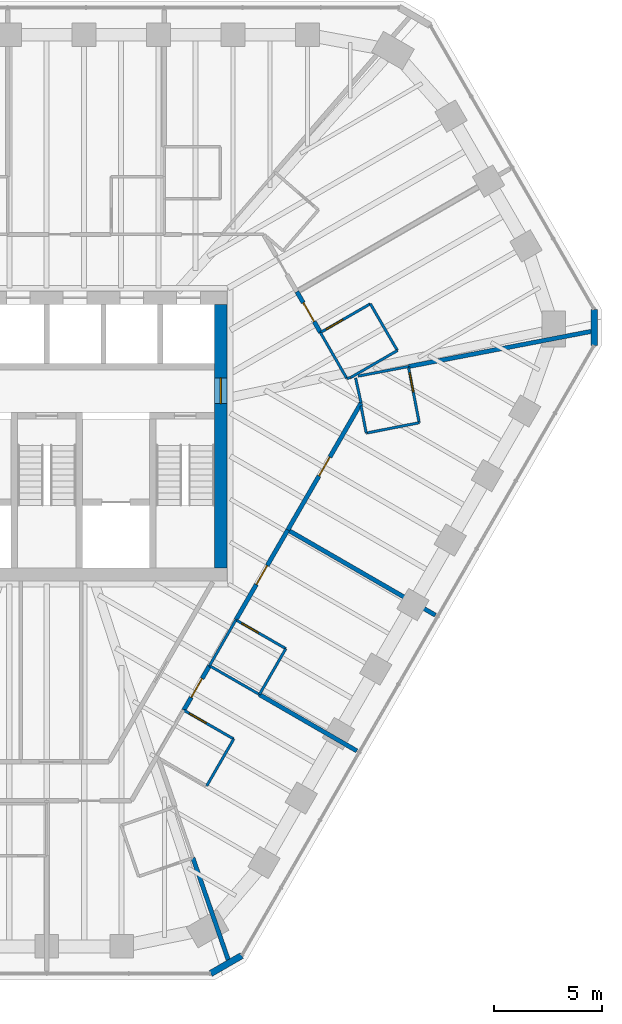
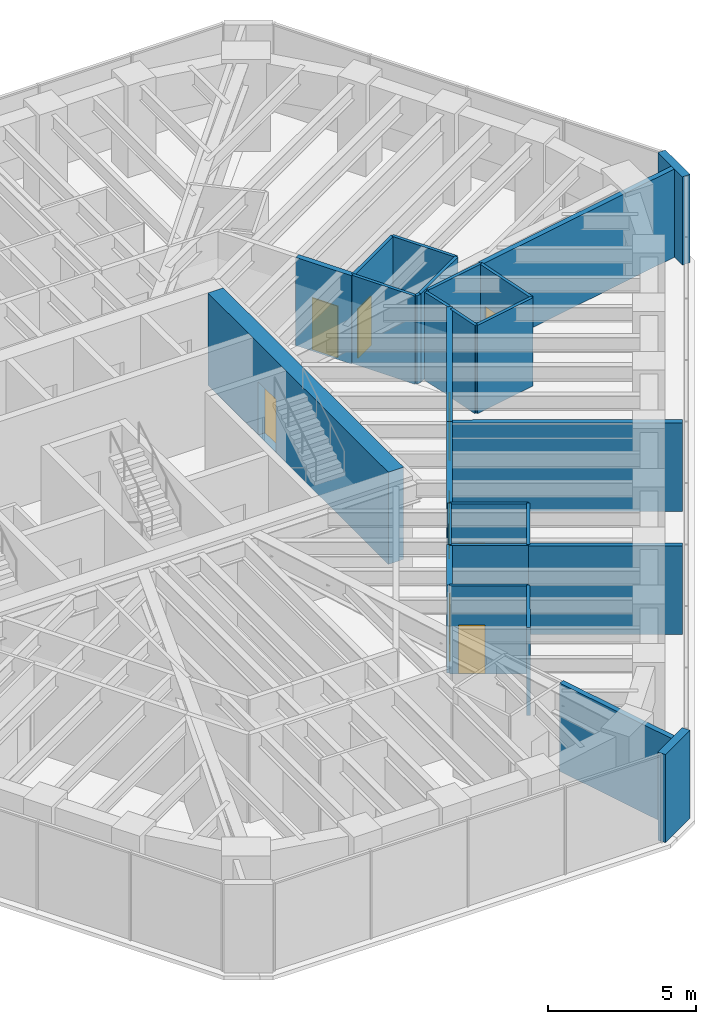
# One storey, part 11 of 14: 27 walls, 9 doors, 9 openings.
"""IFC4 building model written with IfcOpenShell, lengths in metres."""

from ifc_helpers import new_model, si_unit, direction, frame, frame_2d, origin, place, context, subcontext, project, spatial, rectangle, extrude, material, layer, layer_set, type_object, element, fill, save


model = new_model("IFC4")

# Units and contexts
model_context = context("Model", 3, precision=1e-05, world=origin(), true_north=direction((0.0, 1.0)))
body_context = subcontext(model_context, "Body", "Model", "MODEL_VIEW")
ifc_project = project(units=[si_unit("LENGTHUNIT", "METRE"), si_unit("AREAUNIT", "SQUARE_METRE"), si_unit("VOLUMEUNIT", "CUBIC_METRE"), si_unit("PLANEANGLEUNIT", "RADIAN"), si_unit("MASSUNIT", "GRAM", prefix="KILO")], contexts=[model_context])

# Site, building, storey
site_placement = place(None, origin())
site = spatial("IfcSite", under=ifc_project, at=site_placement, CompositionType="ELEMENT")
building_placement = place(site_placement, origin())
building = spatial("IfcBuilding", under=site, at=building_placement, Name="Sandreach Pilgrim Tower", CompositionType="ELEMENT")
storey_placement = place(building_placement, frame((0.0, 0.0, 283.60009765625)))
storey = spatial("IfcBuildingStorey", under=building, at=storey_placement, Name="L71", CompositionType="ELEMENT", Elevation=283.60009765625)

# Walls
ifc_material_1 = material(Name="Moisture-resistant gypsum board on steel studs", Category="steel")
ifc_layer_1 = layer(ifc_material_1, 0.1201171875)
ifc_layer_set_1 = layer_set([ifc_layer_1], Name="Bathroom partition 120")
wall_type_1 = type_object("IfcWallType", Name="Bathroom partition 120", PredefinedType="PARTITIONING", material=ifc_layer_set_1)
wall_1_placement = place(storey_placement, frame((7.39990234375, -16.179931640625, 0.0), z_axis=(0.0, 0.0, 1.0), x_axis=(0.499159685399, 0.866510016372, 0.0)))
element("IfcWall", 1, at=wall_1_placement, inside=storey, type_object=wall_type_1, Name="Bathroom partition L71-086", PredefinedType="PARTITIONING", context=body_context, shape_type="SweptSolid", body=[
    extrude(rectangle(XDim=2.504150390625, YDim=0.1201171875, at=frame_2d((1.251953125, 0.0))), origin(), (0.0, 0.0, 1.0), 3.639892578125),
])
wall_2_placement = place(storey_placement, frame((7.530029296875, -10.6201171875, 0.0), z_axis=(0.0, 0.0, 1.0), x_axis=(0.498748634132, 0.866746675766, 0.0)))
element("IfcWall", 2, at=wall_2_placement, inside=storey, type_object=wall_type_1, Name="Bathroom partition L71-087", PredefinedType="PARTITIONING", context=body_context, shape_type="SweptSolid", body=[
    extrude(rectangle(XDim=2.446044921875, YDim=0.1201171875, at=frame_2d((1.22314453125, 0.0))), origin(), (0.0, 0.0, 1.0), 3.639892578125),
])
wall_3_placement = place(storey_placement, frame((7.530029296875, -10.6201171875, 0.0), z_axis=(0.0, 0.0, 1.0), x_axis=(0.866654860089, -0.498908161372, 0.0)))
element("IfcWall", 3, at=wall_3_placement, inside=storey, type_object=wall_type_1, Name="Bathroom partition L71-088", PredefinedType="PARTITIONING", context=body_context, shape_type="SweptSolid", body=[
    extrude(rectangle(XDim=2.66552734375, YDim=0.1201171875, at=frame_2d((1.332763671875, 0.0))), origin(), (0.0, 0.0, 1.0), 3.639892578125),
])

# Wall, opening, door
wall_4_placement = place(storey_placement, frame((8.64990234375, -14.010009765625, 0.0), z_axis=(0.0, 0.0, 1.0), x_axis=(-0.866592449628, 0.499016559092, 0.0)))
wall_4 = element("IfcWall", 4, at=wall_4_placement, inside=storey, type_object=wall_type_1, Name="Bathroom partition L71-094", PredefinedType="PARTITIONING", context=body_context, shape_type="SweptSolid", body=[
    extrude(rectangle(XDim=2.665283203125, YDim=0.1201171875, at=frame_2d((1.33251953125, 0.0))), origin(), (0.0, 0.0, 1.0), 3.639892578125),
])
opening_1_placement = place(wall_4_placement, frame((1.465576171875, 0.0, 0.0)))
opening_1 = element("IfcOpeningElement", 5, at=opening_1_placement, cuts=wall_4, Name="Opening D09-09B", PredefinedType="OPENING", context=body_context, shape_type="SweptSolid", body=[
    extrude(rectangle(XDim=0.89990234375, YDim=2.030029296875, at=frame_2d((0.449951171875, 1.01513671875))), frame((0.0, 0.06005859375, 0.0), z_axis=(0.0, -1.0, 0.0), x_axis=(1.0, 0.0, 0.0)), (0.0, 0.0, 1.0), 0.1201171875),
])
ifc_material_2 = material(Name="Timber door, steel frame", Category="steel")
door_type_1 = type_object("IfcDoorType", Name="Bathroom door", OperationType="SINGLE_SWING_LEFT", PredefinedType="DOOR", material=ifc_material_2)
door_1_placement = place(opening_1_placement, origin())
door_1 = element("IfcDoor", 6, at=door_1_placement, inside=storey, type_object=door_type_1, Name="Door 7109B", OperationType="SINGLE_SWING_RIGHT", OverallHeight=2.030029296875, OverallWidth=0.89990234375, PredefinedType="DOOR", context=body_context, shape_type="SweptSolid", body=[
    extrude(rectangle(XDim=0.89990234375, YDim=2.030029296875, at=frame_2d((0.449951171875, 1.01513671875))), frame((0.0, 0.02490234375, 0.0), z_axis=(0.0, -1.0, 0.0), x_axis=(1.0, 0.0, 0.0)), (0.0, 0.0, 1.0), 0.050048828125),
])
fill(opening_1, door_1)

# Wall
wall_5_placement = place(storey_placement, frame((9.840087890625, -11.949951171875, 0.0), z_axis=(0.0, 0.0, 1.0), x_axis=(0.498791783817, 0.866721844883, 0.0)))
element("IfcWall", 7, at=wall_5_placement, inside=storey, type_object=wall_type_1, Name="Bathroom partition L71-096", PredefinedType="PARTITIONING", context=body_context, shape_type="SweptSolid", body=[
    extrude(rectangle(XDim=2.44580078125, YDim=0.1201171875, at=frame_2d((1.222900390625, 0.0))), origin(), (0.0, 0.0, 1.0), 3.639892578125),
])

# Wall, opening, door
wall_6_placement = place(storey_placement, frame((11.06005859375, -9.830078125, 0.0), z_axis=(0.0, 0.0, 1.0), x_axis=(-0.866615255992, 0.498976951453, 0.0)))
wall_6 = element("IfcWall", 8, at=wall_6_placement, inside=storey, type_object=wall_type_1, Name="Bathroom partition L71-102", PredefinedType="PARTITIONING", context=body_context, shape_type="SweptSolid", body=[
    extrude(rectangle(XDim=2.66552734375, YDim=0.1201171875, at=frame_2d((1.332763671875, 0.0))), origin(), (0.0, 0.0, 1.0), 3.639892578125),
])
opening_2_placement = place(wall_6_placement, frame((1.465576171875, 0.0, 0.0)))
opening_2 = element("IfcOpeningElement", 9, at=opening_2_placement, cuts=wall_6, Name="Opening D09-08B", PredefinedType="OPENING", context=body_context, shape_type="SweptSolid", body=[
    extrude(rectangle(XDim=0.89990234375, YDim=2.030029296875, at=frame_2d((0.449951171875, 1.01513671875))), frame((0.0, 0.06005859375, 0.0), z_axis=(0.0, -1.0, 0.0), x_axis=(1.0, 0.0, 0.0)), (0.0, 0.0, 1.0), 0.1201171875),
])
door_2_placement = place(opening_2_placement, origin())
door_2 = element("IfcDoor", 10, at=door_2_placement, inside=storey, type_object=door_type_1, Name="Door 7108B", OperationType="SINGLE_SWING_RIGHT", OverallHeight=2.030029296875, OverallWidth=0.89990234375, PredefinedType="DOOR", context=body_context, shape_type="SweptSolid", body=[
    extrude(rectangle(XDim=0.89990234375, YDim=2.030029296875, at=frame_2d((0.449951171875, 1.01513671875))), frame((0.0, 0.02490234375, 0.0), z_axis=(0.0, -1.0, 0.0), x_axis=(1.0, 0.0, 0.0)), (0.0, 0.0, 1.0), 0.050048828125),
])
fill(opening_2, door_2)

# Walls
wall_7_placement = place(storey_placement, frame((12.659912109375, 4.7900390625, 0.0), z_axis=(0.0, 0.0, 1.0), x_axis=(0.498748634132, -0.866746675766, 0.0)))
element("IfcWall", 11, at=wall_7_placement, inside=storey, type_object=wall_type_1, Name="Bathroom partition L71-106", PredefinedType="PARTITIONING", context=body_context, shape_type="SweptSolid", body=[
    extrude(rectangle(XDim=2.446044921875, YDim=0.1201171875, at=frame_2d((1.22314453125, 0.0))), origin(), (0.0, 0.0, 1.0), 3.639892578125),
])
wall_8_placement = place(storey_placement, frame((14.055908203125, 2.705078125, 0.0), z_axis=(0.0, 0.0, 1.0), x_axis=(-0.982045999474, -0.188641604419, 0.0)))
element("IfcWall", 12, at=wall_8_placement, inside=storey, type_object=wall_type_1, Name="Bathroom partition L71-107", PredefinedType="PARTITIONING", context=body_context, shape_type="SweptSolid", body=[
    extrude(rectangle(XDim=0.176025390625, YDim=0.1201171875, at=frame_2d((0.087890625, 0.0))), origin(), (0.0, 0.0, 1.0), 3.639892578125),
])
wall_9_placement = place(storey_placement, frame((14.06005859375, 2.7099609375, 0.0), z_axis=(0.0, 0.0, 1.0), x_axis=(0.865508881864, 0.500893576935, 0.0)))
element("IfcWall", 13, at=wall_9_placement, inside=storey, type_object=wall_type_1, Name="Bathroom partition L71-108", PredefinedType="PARTITIONING", context=body_context, shape_type="SweptSolid", body=[
    extrude(rectangle(XDim=2.49560546875, YDim=0.1201171875, at=frame_2d((1.247802734375, 0.0))), origin(), (0.0, 0.0, 1.0), 3.639892578125),
])
wall_10_placement = place(storey_placement, frame((14.402587890625, 2.775390625, 0.0), z_axis=(0.0, 0.0, 1.0), x_axis=(0.98224012976, 0.187628162834, 0.0)))
element("IfcWall", 14, at=wall_10_placement, inside=storey, type_object=wall_type_1, Name="Bathroom partition L71-110", PredefinedType="PARTITIONING", context=body_context, shape_type="SweptSolid", body=[
    extrude(rectangle(XDim=2.369384765625, YDim=0.1201171875, at=frame_2d((1.1845703125, 0.0))), origin(), (0.0, 0.0, 1.0), 3.639892578125),
])
wall_11_placement = place(storey_placement, frame((14.537109375, 1.401611328125, 0.0), z_axis=(0.0, 0.0, 1.0), x_axis=(0.189058811395, -0.981965766121, 0.0)))
element("IfcWall", 15, at=wall_11_placement, inside=storey, type_object=wall_type_1, Name="Bathroom partition L71-111", PredefinedType="PARTITIONING", context=body_context, shape_type="SweptSolid", body=[
    extrude(rectangle(XDim=1.284912109375, YDim=0.1201171875, at=frame_2d((0.642578125, 0.0))), origin(), (0.0, 0.0, 1.0), 3.639892578125),
])
wall_12_placement = place(storey_placement, frame((14.540283203125, 1.531494140625, 0.0), z_axis=(0.0, 0.0, 1.0), x_axis=(-0.213377769455, 0.976969767957, 0.0)))
element("IfcWall", 16, at=wall_12_placement, inside=storey, type_object=wall_type_1, Name="Bathroom partition L71-112", PredefinedType="PARTITIONING", context=body_context, shape_type="SweptSolid", body=[
    extrude(rectangle(XDim=1.1865234375, YDim=0.1201171875, at=frame_2d((0.59326171875, 0.0))), origin(), (0.0, 0.0, 1.0), 3.639892578125),
])
wall_13_placement = place(storey_placement, frame((14.780029296875, 0.139892578125, 0.0), z_axis=(0.0, 0.0, 1.0), x_axis=(0.981325695508, 0.192353526962, 0.0)))
element("IfcWall", 17, at=wall_13_placement, inside=storey, type_object=wall_type_1, Name="Bathroom partition L71-113", PredefinedType="PARTITIONING", context=body_context, shape_type="SweptSolid", body=[
    extrude(rectangle(XDim=2.49658203125, YDim=0.1201171875, at=frame_2d((1.248291015625, 0.0))), origin(), (0.0, 0.0, 1.0), 3.639892578125),
])

# Wall, opening, door
wall_14_placement = place(storey_placement, frame((14.969970703125, 6.1201171875, 0.0), z_axis=(0.0, 0.0, 1.0), x_axis=(-0.866615255992, -0.498976951453, 0.0)))
wall_14 = element("IfcWall", 18, at=wall_14_placement, inside=storey, type_object=wall_type_1, Name="Bathroom partition L71-114", PredefinedType="PARTITIONING", context=body_context, shape_type="SweptSolid", body=[
    extrude(rectangle(XDim=2.66552734375, YDim=0.1201171875, at=frame_2d((1.332763671875, 0.0))), origin(), (0.0, 0.0, 1.0), 3.639892578125),
])
opening_3_placement = place(wall_14_placement, frame((1.465576171875, 0.0, 0.0)))
opening_3 = element("IfcOpeningElement", 19, at=opening_3_placement, cuts=wall_14, Name="Opening D09-06B", PredefinedType="OPENING", context=body_context, shape_type="SweptSolid", body=[
    extrude(rectangle(XDim=0.89990234375, YDim=2.030029296875, at=frame_2d((0.449951171875, 1.01513671875))), frame((0.0, 0.06005859375, 0.0), z_axis=(0.0, -1.0, 0.0), x_axis=(1.0, 0.0, 0.0)), (0.0, 0.0, 1.0), 0.1201171875),
])
door_3_placement = place(opening_3_placement, origin())
door_3 = element("IfcDoor", 20, at=door_3_placement, inside=storey, type_object=door_type_1, Name="Door 7106B", OperationType="SINGLE_SWING_RIGHT", OverallHeight=2.030029296875, OverallWidth=0.89990234375, PredefinedType="DOOR", context=body_context, shape_type="SweptSolid", body=[
    extrude(rectangle(XDim=0.89990234375, YDim=2.030029296875, at=frame_2d((0.449951171875, 1.01513671875))), frame((0.0, 0.02490234375, 0.0), z_axis=(0.0, -1.0, 0.0), x_axis=(1.0, 0.0, 0.0)), (0.0, 0.0, 1.0), 0.050048828125),
])
fill(opening_3, door_3)

# Wall
wall_15_placement = place(storey_placement, frame((16.219970703125, 3.9599609375, 0.0), z_axis=(0.0, 0.0, 1.0), x_axis=(-0.500893576935, 0.865508881864, 0.0)))
element("IfcWall", 21, at=wall_15_placement, inside=storey, type_object=wall_type_1, Name="Bathroom partition L71-115", PredefinedType="PARTITIONING", context=body_context, shape_type="SweptSolid", body=[
    extrude(rectangle(XDim=2.49560546875, YDim=0.1201171875, at=frame_2d((1.247802734375, 0.0))), origin(), (0.0, 0.0, 1.0), 3.639892578125),
])

# Wall, opening, door
wall_16_placement = place(storey_placement, frame((17.22998046875, 0.6201171875, 0.0), z_axis=(0.0, 0.0, 1.0), x_axis=(-0.18885765444, 0.982004473696, 0.0)))
wall_16 = element("IfcWall", 22, at=wall_16_placement, inside=storey, type_object=wall_type_1, Name="Bathroom partition L71-117", PredefinedType="PARTITIONING", context=body_context, shape_type="SweptSolid", body=[
    extrude(rectangle(XDim=2.6474609375, YDim=0.1201171875, at=frame_2d((1.32373046875, 0.0))), origin(), (0.0, 0.0, 1.0), 3.639892578125),
])
opening_4_placement = place(wall_16_placement, frame((1.447509765625, 0.0, 0.0)))
opening_4 = element("IfcOpeningElement", 23, at=opening_4_placement, cuts=wall_16, Name="Opening D09-07B", PredefinedType="OPENING", context=body_context, shape_type="SweptSolid", body=[
    extrude(rectangle(XDim=0.89990234375, YDim=2.030029296875, at=frame_2d((0.449951171875, 1.01513671875))), frame((0.0, 0.06005859375, 0.0), z_axis=(0.0, -1.0, 0.0), x_axis=(1.0, 0.0, 0.0)), (0.0, 0.0, 1.0), 0.1201171875),
])
door_4_placement = place(opening_4_placement, origin())
door_4 = element("IfcDoor", 24, at=door_4_placement, inside=storey, type_object=door_type_1, Name="Door 7107B", OperationType="SINGLE_SWING_RIGHT", OverallHeight=2.030029296875, OverallWidth=0.89990234375, PredefinedType="DOOR", context=body_context, shape_type="SweptSolid", body=[
    extrude(rectangle(XDim=0.89990234375, YDim=2.030029296875, at=frame_2d((0.449951171875, 1.01513671875))), frame((0.0, 0.02490234375, 0.0), z_axis=(0.0, -1.0, 0.0), x_axis=(1.0, 0.0, 0.0)), (0.0, 0.0, 1.0), 0.050048828125),
])
fill(opening_4, door_4)

ifc_material_3 = material(Name="Concrete 10000 psi", Category="concrete")
ifc_layer_2 = layer(ifc_material_3, 0.60009765625)
ifc_layer_set_2 = layer_set([ifc_layer_2], Name="Core wall 600")
wall_type_2 = type_object("IfcWallType", Name="Core wall 600", PredefinedType="SHEAR", material=ifc_layer_set_2)
wall_17_placement = place(storey_placement, frame((8.050048828125, -6.10009765625, 0.0), z_axis=(0.0, 0.0, 1.0), x_axis=(0.0, 1.0, 0.0)))
wall_17 = element("IfcWall", 25, at=wall_17_placement, inside=storey, type_object=wall_type_2, Name="Core wall E L71", PredefinedType="SHEAR", context=body_context, shape_type="SweptSolid", body=[
    extrude(rectangle(XDim=12.2001953125, YDim=0.60009765625, at=frame_2d((6.10009765625, 0.0))), origin(), (0.0, 0.0, 1.0), 3.7998046875),
])
opening_5_placement = place(wall_17_placement, frame((7.60009765625, 0.0, 0.0)))
opening_5 = element("IfcOpeningElement", 26, at=opening_5_placement, cuts=wall_17, Name="Opening D12F-E", PredefinedType="OPENING", context=body_context, shape_type="SweptSolid", body=[
    extrude(rectangle(XDim=1.199951171875, YDim=2.199951171875, at=frame_2d((0.60009765625, 1.10009765625))), frame((0.0, 0.300048828125, 0.0), z_axis=(0.0, -1.0, 0.0), x_axis=(1.0, 0.0, 0.0)), (0.0, 0.0, 1.0), 0.60009765625),
])
ifc_material_4 = material(Name="Steel door and frame", Category="steel")
door_type_2 = type_object("IfcDoorType", Name="Fire lobby door", OperationType="SINGLE_SWING_LEFT", PredefinedType="DOOR", material=ifc_material_4)
door_5_placement = place(opening_5_placement, origin())
door_5 = element("IfcDoor", 27, at=door_5_placement, inside=storey, type_object=door_type_2, Name="Fire service lobby door E L71", OperationType="SINGLE_SWING_RIGHT", OverallHeight=2.199951171875, OverallWidth=1.199951171875, PredefinedType="DOOR", context=body_context, shape_type="SweptSolid", body=[
    extrude(rectangle(XDim=1.199951171875, YDim=2.199951171875, at=frame_2d((0.60009765625, 1.10009765625))), frame((0.0, 0.02490234375, 0.0), z_axis=(0.0, -1.0, 0.0), x_axis=(1.0, 0.0, 0.0)), (0.0, 0.0, 1.0), 0.050048828125),
])
fill(opening_5, door_5)

ifc_material_5 = material(Name="Gypsum board on steel studs, two layers each side", Category="steel")
ifc_layer_3 = layer(ifc_material_5, 0.199951171875)
ifc_layer_set_3 = layer_set([ifc_layer_3], Name="Corridor wall 200")
wall_type_3 = type_object("IfcWallType", Name="Corridor wall 200", PredefinedType="PARTITIONING", material=ifc_layer_set_3)
wall_18_placement = place(storey_placement, frame((6.340087890625, -12.679931640625, 0.0), z_axis=(0.0, 0.0, 1.0), x_axis=(0.500222880675, 0.865896685321, 0.0)))
wall_18 = element("IfcWall", 28, at=wall_18_placement, inside=storey, type_object=wall_type_3, Name="Corridor wall L71-084", PredefinedType="PARTITIONING", context=body_context, shape_type="SweptSolid", body=[
    extrude(rectangle(XDim=2.37890625, YDim=0.199951171875, at=frame_2d((1.189453125, 0.0))), origin(), (0.0, 0.0, 1.0), 3.639892578125),
])
opening_6_placement = place(wall_18_placement, frame((0.689453125, 0.0, 0.0)))
opening_6 = element("IfcOpeningElement", 29, at=opening_6_placement, cuts=wall_18, Name="Opening D10-09", PredefinedType="OPENING", context=body_context, shape_type="SweptSolid", body=[
    extrude(rectangle(XDim=1.0, YDim=2.1298828125, at=frame_2d((0.5, 1.06494140625))), frame((0.0, 0.10009765625, 0.0), z_axis=(0.0, -1.0, 0.0), x_axis=(1.0, 0.0, 0.0)), (0.0, 0.0, 1.0), 0.199951171875),
])
ifc_material_6 = material(Name="Steel door and frame", Category="steel")
door_type_3 = type_object("IfcDoorType", Name="Guest room entry door", OperationType="SINGLE_SWING_LEFT", PredefinedType="DOOR", material=ifc_material_6)
door_6_placement = place(opening_6_placement, origin())
door_6 = element("IfcDoor", 30, at=door_6_placement, inside=storey, type_object=door_type_3, Name="Door 7109", OperationType="SINGLE_SWING_LEFT", OverallHeight=2.1298828125, OverallWidth=1.0, PredefinedType="DOOR", context=body_context, shape_type="SweptSolid", body=[
    extrude(rectangle(XDim=1.0, YDim=2.1298828125, at=frame_2d((0.5, 1.06494140625))), frame((0.0, 0.02490234375, 0.0), z_axis=(0.0, -1.0, 0.0), x_axis=(1.0, 0.0, 0.0)), (0.0, 0.0, 1.0), 0.050048828125),
])
fill(opening_6, door_6)

wall_19_placement = place(storey_placement, frame((8.7490234375, -8.49951171875, 0.0), z_axis=(0.0, 0.0, 1.0), x_axis=(0.499911676512, 0.866076391369, 0.0)))
wall_19 = element("IfcWall", 31, at=wall_19_placement, inside=storey, type_object=wall_type_3, Name="Corridor wall L71-095", PredefinedType="PARTITIONING", context=body_context, shape_type="SweptSolid", body=[
    extrude(rectangle(XDim=4.802490234375, YDim=0.199951171875, at=frame_2d((2.4013671875, 0.0))), origin(), (0.0, 0.0, 1.0), 3.639892578125),
])
opening_7_placement = place(wall_19_placement, frame((1.9013671875, 0.0, 0.0)))
opening_7 = element("IfcOpeningElement", 32, at=opening_7_placement, cuts=wall_19, Name="Opening D10-08", PredefinedType="OPENING", context=body_context, shape_type="SweptSolid", body=[
    extrude(rectangle(XDim=1.0, YDim=2.1298828125, at=frame_2d((0.5, 1.06494140625))), frame((0.0, 0.10009765625, 0.0), z_axis=(0.0, -1.0, 0.0), x_axis=(1.0, 0.0, 0.0)), (0.0, 0.0, 1.0), 0.199951171875),
])
door_7_placement = place(opening_7_placement, origin())
door_7 = element("IfcDoor", 33, at=door_7_placement, inside=storey, type_object=door_type_3, Name="Door 7108", OperationType="SINGLE_SWING_LEFT", OverallHeight=2.1298828125, OverallWidth=1.0, PredefinedType="DOOR", context=body_context, shape_type="SweptSolid", body=[
    extrude(rectangle(XDim=1.0, YDim=2.1298828125, at=frame_2d((0.5, 1.06494140625))), frame((0.0, 0.02490234375, 0.0), z_axis=(0.0, -1.0, 0.0), x_axis=(1.0, 0.0, 0.0)), (0.0, 0.0, 1.0), 0.050048828125),
])
fill(opening_7, door_7)

wall_20_placement = place(storey_placement, frame((11.14990234375, -4.340087890625, 0.0), z_axis=(0.0, 0.0, 1.0), x_axis=(0.500113178326, 0.865960050386, 0.0)))
wall_20 = element("IfcWall", 34, at=wall_20_placement, inside=storey, type_object=wall_type_3, Name="Corridor wall L71-103", PredefinedType="PARTITIONING", context=body_context, shape_type="SweptSolid", body=[
    extrude(rectangle(XDim=6.77880859375, YDim=0.199951171875, at=frame_2d((3.389404296875, 0.0))), origin(), (0.0, 0.0, 1.0), 3.639892578125),
])
opening_8_placement = place(wall_20_placement, frame((2.889404296875, 0.0, 0.0)))
opening_8 = element("IfcOpeningElement", 35, at=opening_8_placement, cuts=wall_20, Name="Opening D10-07", PredefinedType="OPENING", context=body_context, shape_type="SweptSolid", body=[
    extrude(rectangle(XDim=1.0, YDim=2.1298828125, at=frame_2d((0.5, 1.06494140625))), frame((0.0, 0.10009765625, 0.0), z_axis=(0.0, -1.0, 0.0), x_axis=(1.0, 0.0, 0.0)), (0.0, 0.0, 1.0), 0.199951171875),
])
door_8_placement = place(opening_8_placement, origin())
door_8 = element("IfcDoor", 36, at=door_8_placement, inside=storey, type_object=door_type_3, Name="Door 7107", OperationType="SINGLE_SWING_LEFT", OverallHeight=2.1298828125, OverallWidth=1.0, PredefinedType="DOOR", context=body_context, shape_type="SweptSolid", body=[
    extrude(rectangle(XDim=1.0, YDim=2.1298828125, at=frame_2d((0.5, 1.06494140625))), frame((0.0, 0.02490234375, 0.0), z_axis=(0.0, -1.0, 0.0), x_axis=(1.0, 0.0, 0.0)), (0.0, 0.0, 1.0), 0.050048828125),
])
fill(opening_8, door_8)

wall_21_placement = place(storey_placement, frame((11.57177734375, 6.68115234375, 0.0), z_axis=(0.0, 0.0, 1.0), x_axis=(0.500074377092, -0.865982457891, 0.0)))
wall_21 = element("IfcWall", 37, at=wall_21_placement, inside=storey, type_object=wall_type_3, Name="Corridor wall L71-104", PredefinedType="PARTITIONING", context=body_context, shape_type="SweptSolid", body=[
    extrude(rectangle(XDim=2.181884765625, YDim=0.199951171875, at=frame_2d((1.0908203125, 0.0))), origin(), (0.0, 0.0, 1.0), 3.639892578125),
])
opening_9_placement = place(wall_21_placement, frame((0.5908203125, 0.0, 0.0)))
opening_9 = element("IfcOpeningElement", 38, at=opening_9_placement, cuts=wall_21, Name="Opening D10-06", PredefinedType="OPENING", context=body_context, shape_type="SweptSolid", body=[
    extrude(rectangle(XDim=1.0, YDim=2.1298828125, at=frame_2d((0.5, 1.06494140625))), frame((0.0, 0.10009765625, 0.0), z_axis=(0.0, -1.0, 0.0), x_axis=(1.0, 0.0, 0.0)), (0.0, 0.0, 1.0), 0.199951171875),
])
door_9_placement = place(opening_9_placement, origin())
door_9 = element("IfcDoor", 39, at=door_9_placement, inside=storey, type_object=door_type_3, Name="Door 7106", OperationType="SINGLE_SWING_LEFT", OverallHeight=2.1298828125, OverallWidth=1.0, PredefinedType="DOOR", context=body_context, shape_type="SweptSolid", body=[
    extrude(rectangle(XDim=1.0, YDim=2.1298828125, at=frame_2d((0.5, 1.06494140625))), frame((0.0, 0.02490234375, 0.0), z_axis=(0.0, -1.0, 0.0), x_axis=(1.0, 0.0, 0.0)), (0.0, 0.0, 1.0), 0.050048828125),
])
fill(opening_9, door_9)

# Walls
ifc_material_7 = material(Name="Double steel stud acoustic wall, gypsum board", Category="steel")
ifc_layer_4 = layer(ifc_material_7, 0.199951171875)
ifc_layer_set_4 = layer_set([ifc_layer_4], Name="Party wall 200")
wall_type_4 = type_object("IfcWallType", Name="Party wall 200", PredefinedType="PARTITIONING", material=ifc_layer_set_4)
wall_22_placement = place(storey_placement, frame((6.760009765625, -19.510009765625, 0.0), z_axis=(0.0, 0.0, 1.0), x_axis=(0.327780464108, -0.944753918938, 0.0)))
element("IfcWall", 40, at=wall_22_placement, inside=storey, type_object=wall_type_4, Name="Party wall L71-085", PredefinedType="PARTITIONING", context=body_context, shape_type="SweptSolid", body=[
    extrude(rectangle(XDim=5.156494140625, YDim=0.199951171875, at=frame_2d((2.578125, 0.0))), origin(), (0.0, 0.0, 1.0), 3.639892578125),
])
wall_23_placement = place(storey_placement, frame((14.34619140625, -14.56005859375, 0.0), z_axis=(0.0, 0.0, 1.0), x_axis=(-0.86575990496, 0.500459575754, 0.0)))
element("IfcWall", 41, at=wall_23_placement, inside=storey, type_object=wall_type_4, Name="Party wall L71-109", PredefinedType="PARTITIONING", context=body_context, shape_type="SweptSolid", body=[
    extrude(rectangle(XDim=5.20751953125, YDim=0.199951171875, at=frame_2d((2.603759765625, 0.0))), origin(), (0.0, 0.0, 1.0), 3.639892578125),
])
wall_24_placement = place(storey_placement, frame((16.72998046875, 3.219970703125, 0.0), z_axis=(0.0, 0.0, 1.0), x_axis=(0.982039995549, 0.188672857462, 0.0)))
element("IfcWall", 42, at=wall_24_placement, inside=storey, type_object=wall_type_4, Name="Party wall L71-116", PredefinedType="PARTITIONING", context=body_context, shape_type="SweptSolid", body=[
    extrude(rectangle(XDim=8.76806640625, YDim=0.199951171875, at=frame_2d((4.384033203125, 0.0))), origin(), (0.0, 0.0, 1.0), 3.639892578125),
])
wall_25_placement = place(storey_placement, frame((17.97607421875, -8.280029296875, 0.0), z_axis=(0.0, 0.0, 1.0), x_axis=(-0.866080683341, 0.499904240773, 0.0)))
element("IfcWall", 43, at=wall_25_placement, inside=storey, type_object=wall_type_4, Name="Party wall L71-118", PredefinedType="PARTITIONING", context=body_context, shape_type="SweptSolid", body=[
    extrude(rectangle(XDim=7.86669921875, YDim=0.199951171875, at=frame_2d((3.933349609375, 0.0))), origin(), (0.0, 0.0, 1.0), 3.639892578125),
])
ifc_material_8 = material(Name="Terracotta rainscreen on concrete", Category="masonry")
ifc_layer_5 = layer(ifc_material_8, 0.300048828125)
ifc_layer_set_5 = layer_set([ifc_layer_5], Name="Terracotta chamfer pier")
wall_type_5 = type_object("IfcWallType", Name="Terracotta chamfer pier", PredefinedType="SOLIDWALL", material=ifc_layer_set_5)
for number, where, z_axis, x_axis, name in (
    (44, (25.3193359375, 5.861572265625, 0.0), (0.0, 0.0, 1.0), (0.0, -1.0, 0.0), "Chamfer pier L71 NE"),
    (45, (9.02099609375, -24.028076171875, 0.0), (0.0, 0.0, 1.0), (-0.865989634427, -0.500061949227, 0.0), "Chamfer pier L71 SE"),
):
    element("IfcWall", number, at=place(storey_placement, frame(where, z_axis=z_axis, x_axis=x_axis)), inside=storey, type_object=wall_type_5, Name=name, PredefinedType="SOLIDWALL", context=body_context, shape_type="SweptSolid", body=[
        extrude(rectangle(XDim=1.659912109375, YDim=0.300048828125, at=frame_2d((0.830078125, 0.0))), origin(), (0.0, 0.0, 1.0), 3.639892578125),
    ])

save(model, "model.ifc")
